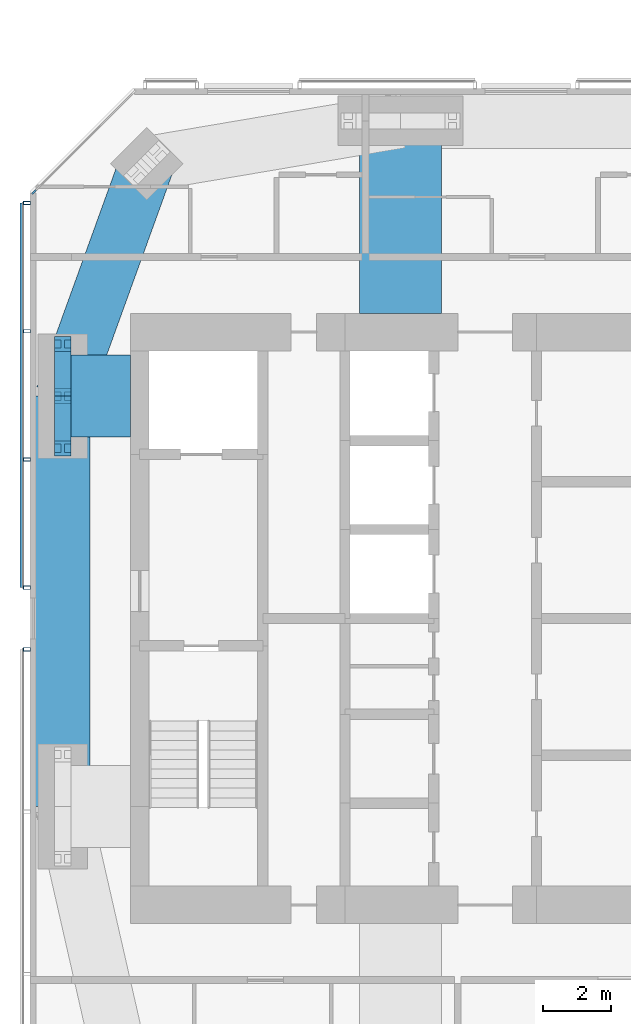
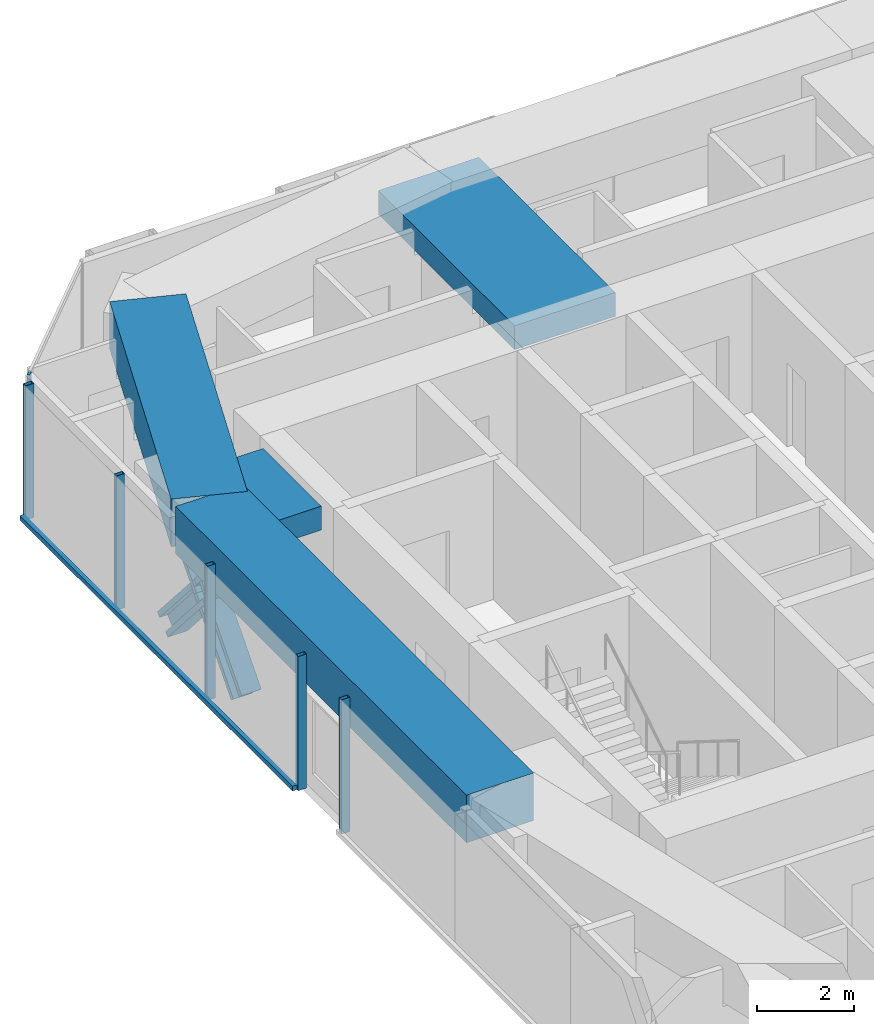
# One storey, part 5 of 18: 11 members, 4 beams, 3 elements without a shape of their own.
"""IFC4 building model written with IfcOpenShell, lengths in metres."""

from ifc_helpers import new_model, si_unit, direction, frame, origin, origin_2d, place, context, subcontext, project, spatial, rectangle, hollow_rectangle, i_section, extrude, material, material_profile, profile_set, type_object, element, aggregate, save


model = new_model("IFC4")

# Units and contexts
model_context = context("Model", 3, precision=1e-05, world=origin(), true_north=direction((0.0, 1.0)))
body_context = subcontext(model_context, "Body", "Model", "MODEL_VIEW")
ifc_project = project(units=[si_unit("LENGTHUNIT", "METRE"), si_unit("AREAUNIT", "SQUARE_METRE"), si_unit("VOLUMEUNIT", "CUBIC_METRE"), si_unit("PLANEANGLEUNIT", "RADIAN"), si_unit("MASSUNIT", "GRAM", prefix="KILO")], contexts=[model_context])

# Site, building, storey
site_placement = place(None, origin())
site = spatial("IfcSite", under=ifc_project, at=site_placement, CompositionType="ELEMENT")
building_placement = place(site_placement, origin())
building = spatial("IfcBuilding", under=site, at=building_placement, Name="Jalousie Tower", CompositionType="ELEMENT")
storey_placement = place(building_placement, frame((0.0, 0.0, 231.949951171875)))
storey = spatial("IfcBuildingStorey", under=building, at=storey_placement, Name="L63", CompositionType="ELEMENT", Elevation=231.949951171875)

# Curtain wall, member
ifc_material_1 = material(Name="Aluminium curtain wall", Category="aluminium")
curtain_wall_type_1 = type_object("IfcCurtainWallType", Name="CORNER WINDOW WALL", PredefinedType="USERDEFINED", material=ifc_material_1)
curtain_wall_1_placement = place(storey_placement, origin())
curtain_wall_1 = element("IfcCurtainWall", 1, at=curtain_wall_1_placement, inside=storey, type_object=curtain_wall_type_1, Name="Corner Window Wall L63 6", ObjectType="CORNER WINDOW WALL", PredefinedType="USERDEFINED")
ifc_material_2 = material(Name="Aluminium mullion", Category="aluminium")
ifc_material_profile_1 = material_profile(ifc_material_2, rectangle(XDim=0.06005859375, YDim=0.14990234375, at=origin_2d()), Name="MULLION 60x150")
ifc_profile_set_1 = profile_set([ifc_material_profile_1], Name="Aluminium mullion")
member_type_1 = type_object("IfcMemberType", Name="CORNER WINDOW WALL MULLION", PredefinedType="MULLION", material=ifc_profile_set_1)
member_1_placement = place(storey_placement, frame((16.90869140625, 30.969970703125, 0.0), z_axis=(0.0, 0.0, 1.0), x_axis=(0.707106781187, -0.707106781187, 0.0)))
member_1 = element("IfcMember", 2, at=member_1_placement, type_object=member_type_1, Name="CW-C mullion 2", PredefinedType="MULLION", context=body_context, shape_type="SweptSolid", body=[
    extrude(rectangle(XDim=0.06005859375, YDim=0.14990234375, at=origin_2d()), origin(), (0.0, 0.0, 1.0), 3.260009765625),
])
aggregate(curtain_wall_1, [member_1])

# Members
ifc_material_3 = material(Name="Steel ASTM A992 Grade 50", Category="steel")
ifc_material_profile_2 = material_profile(ifc_material_3, i_section(OverallWidth=0.472412109375, OverallDepth=0.5791015625, WebThickness=0.094970703125, FlangeThickness=0.1298828125, at=origin_2d()), Name="W14X808")
ifc_profile_set_2 = profile_set([ifc_material_profile_2], Name="Steel ASTM A992 Grade 50")
member_type_2 = type_object("IfcMemberType", Name="PERIMETER BRACE W14X808", PredefinedType="BRACE", material=ifc_profile_set_2)
for number, where, z_axis, x_axis, name in (
    (3, (17.75, 23.47509765625, -0.599853515625), (0.0, 0.65695436777, 0.753930340726), (-1.0, 0.0, 0.0), "Perimeter brace 13 L63 part 1"),
    (4, (17.75, 25.0, 1.150146484375), (0.0, 0.65695436777, 0.753930340726), (-1.0, 0.0, 0.0), "Perimeter brace 13 L63 part 2"),
    (5, (17.75, 26.52490234375, -0.599853515625), (0.0, -0.65695436777, 0.753930340726), (1.0, 0.0, 0.0), "Perimeter brace 13 L63 part 3"),
    (6, (17.75, 25.0, 1.150146484375), (0.0, -0.65695436777, 0.753930340726), (1.0, 0.0, 0.0), "Perimeter brace 13 L63 part 4"),
):
    element("IfcMember", number, at=place(storey_placement, frame(where, z_axis=z_axis, x_axis=x_axis)), inside=storey, type_object=member_type_2, Name=name, PredefinedType="BRACE", context=body_context, shape_type="SweptSolid", body=[
        extrude(i_section(OverallWidth=0.472412109375, OverallDepth=0.5791015625, WebThickness=0.094970703125, FlangeThickness=0.1298828125, at=origin_2d()), origin(), (0.0, 0.0, 1.0), 2.3212890625),
    ])

# Beams
ifc_material_4 = material(Name="Concrete f'c 40 MPa", Category="concrete")
ifc_material_profile_3 = material_profile(ifc_material_4, rectangle(XDim=1.60009765625, YDim=1.199951171875, at=origin_2d()), Name="RC 1600x1200")
ifc_profile_set_3 = profile_set([ifc_material_profile_3], Name="Concrete f'c 40 MPa")
beam_type_1 = type_object("IfcBeamType", Name="RC BEAM 1600x1200", PredefinedType="BEAM", material=ifc_profile_set_3)
beam_1_placement = place(storey_placement, frame((20.20703125, 31.79296875, 2.900146484375), z_axis=(-0.340136081654, -0.940376225751, 0.0), x_axis=(0.940376225751, -0.340136081654, 0.0)))
element("IfcBeam", 7, at=beam_1_placement, inside=storey, type_object=beam_type_1, Name="Edge band beam 12-13 under L64", PredefinedType="BEAM", context=body_context, shape_type="SweptSolid", body=[
    extrude(rectangle(XDim=1.60009765625, YDim=1.199951171875, at=origin_2d()), origin(), (0.0, 0.0, 1.0), 7.2236328125),
])
beam_2_placement = place(storey_placement, frame((17.75, 25.0, 2.900146484375), z_axis=(0.0, -1.0, 0.0), x_axis=(1.0, 0.0, 0.0)))
element("IfcBeam", 8, at=beam_2_placement, inside=storey, type_object=beam_type_1, Name="Edge band beam 13-14 under L64", PredefinedType="BEAM", context=body_context, shape_type="SweptSolid", body=[
    extrude(rectangle(XDim=1.60009765625, YDim=1.199951171875, at=origin_2d()), origin(), (0.0, 0.0, 1.0), 12.0),
])
ifc_material_5 = material(Name="Concrete f'c 40 MPa", Category="concrete")
ifc_material_profile_4 = material_profile(ifc_material_5, rectangle(XDim=2.39990234375, YDim=0.60009765625, at=origin_2d()), Name="RC 2400x600")
ifc_profile_set_4 = profile_set([ifc_material_profile_4], Name="Concrete f'c 40 MPa")
beam_type_2 = type_object("IfcBeamType", Name="RC BEAM 2400x600", PredefinedType="BEAM", material=ifc_profile_set_4)
beam_3_placement = place(storey_placement, frame((17.75, 25.0, 2.9599609375), z_axis=(1.0, 0.0, 0.0), x_axis=(0.0, 1.0, 0.0)))
element("IfcBeam", 9, at=beam_3_placement, inside=storey, type_object=beam_type_2, Name="Floor band beam under L64", PredefinedType="BEAM", context=body_context, shape_type="SweptSolid", body=[
    extrude(rectangle(XDim=2.39990234375, YDim=0.60009765625, at=origin_2d()), origin(), (0.0, 0.0, 1.0), 1.97509765625),
])
beam_4_placement = place(storey_placement, frame((27.625, 33.050048828125, 2.9599609375), z_axis=(0.0, -1.0, 0.0), x_axis=(1.0, 0.0, 0.0)))
element("IfcBeam", 10, at=beam_4_placement, inside=storey, type_object=beam_type_2, Name="Floor band beam under L64", PredefinedType="BEAM", context=body_context, shape_type="SweptSolid", body=[
    extrude(rectangle(XDim=2.39990234375, YDim=0.60009765625, at=origin_2d()), origin(), (0.0, 0.0, 1.0), 5.625),
])

# Curtain wall, members
ifc_material_6 = material(Name="Perforated aluminium sheet", Category="aluminium")
curtain_wall_type_2 = type_object("IfcCurtainWallType", Name="SOLAR SCREEN SS-2", PredefinedType="USERDEFINED", material=ifc_material_6)
curtain_wall_2_placement = place(storey_placement, origin())
curtain_wall_2 = element("IfcCurtainWall", 11, at=curtain_wall_2_placement, inside=storey, type_object=curtain_wall_type_2, Name="Solar screen L63", ObjectType="SOLAR SCREEN SS-2", PredefinedType="USERDEFINED")
ifc_material_7 = material(Name="Steel ASTM A500 Grade C", Category="steel")
ifc_material_profile_5 = material_profile(ifc_material_7, hollow_rectangle(XDim=0.1015625, YDim=0.203125, WallThickness=0.0078125, at=origin_2d()), Name="HSS8X4X5/16")
ifc_profile_set_5 = profile_set([ifc_material_profile_5], Name="Steel ASTM A500 Grade C")
member_type_3 = type_object("IfcMemberType", Name="SOLAR SCREEN SS-2 MULLION", PredefinedType="MULLION", material=ifc_profile_set_5)
member_2_placement = place(storey_placement, frame((16.703369140625, 30.648681640625, -0.119873046875), z_axis=(0.0, 0.0, 1.0), x_axis=(0.0, -1.0, 0.0)))
member_2 = element("IfcMember", 12, at=member_2_placement, type_object=member_type_3, Name="SS2 post 1", PredefinedType="MULLION", context=body_context, shape_type="SweptSolid", body=[
    extrude(hollow_rectangle(XDim=0.1015625, YDim=0.203125, WallThickness=0.0078125, at=origin_2d()), origin(), (0.0, 0.0, 1.0), 3.3798828125),
])
member_3_placement = place(storey_placement, frame((16.703369140625, 26.899169921875, -0.119873046875), z_axis=(0.0, 0.0, 1.0), x_axis=(0.0, -1.0, 0.0)))
member_3 = element("IfcMember", 13, at=member_3_placement, type_object=member_type_3, Name="SS2 post 2", PredefinedType="MULLION", context=body_context, shape_type="SweptSolid", body=[
    extrude(hollow_rectangle(XDim=0.1015625, YDim=0.203125, WallThickness=0.0078125, at=origin_2d()), origin(), (0.0, 0.0, 1.0), 3.3798828125),
])
member_4_placement = place(storey_placement, frame((16.703369140625, 23.149658203125, -0.119873046875), z_axis=(0.0, 0.0, 1.0), x_axis=(0.0, -1.0, 0.0)))
member_4 = element("IfcMember", 14, at=member_4_placement, type_object=member_type_3, Name="SS2 post 3", PredefinedType="MULLION", context=body_context, shape_type="SweptSolid", body=[
    extrude(hollow_rectangle(XDim=0.1015625, YDim=0.203125, WallThickness=0.0078125, at=origin_2d()), origin(), (0.0, 0.0, 1.0), 3.3798828125),
])
member_5_placement = place(storey_placement, frame((16.703369140625, 19.39990234375, -0.119873046875), z_axis=(0.0, 0.0, 1.0), x_axis=(0.0, -1.0, 0.0)))
member_5 = element("IfcMember", 15, at=member_5_placement, type_object=member_type_3, Name="SS2 post 4", PredefinedType="MULLION", context=body_context, shape_type="SweptSolid", body=[
    extrude(hollow_rectangle(XDim=0.1015625, YDim=0.203125, WallThickness=0.0078125, at=origin_2d()), origin(), (0.0, 0.0, 1.0), 3.3798828125),
])

# Curtain wall, member
curtain_wall_3_placement = place(storey_placement, origin())
curtain_wall_3 = element("IfcCurtainWall", 16, at=curtain_wall_3_placement, inside=storey, type_object=curtain_wall_type_2, Name="Solar screen L63", ObjectType="SOLAR SCREEN SS-2", PredefinedType="USERDEFINED")
member_6_placement = place(storey_placement, frame((16.703369140625, 17.60009765625, -0.119873046875), z_axis=(0.0, 0.0, 1.0), x_axis=(0.0, -1.0, 0.0)))
member_6 = element("IfcMember", 17, at=member_6_placement, type_object=member_type_3, Name="SS2 post 1", PredefinedType="MULLION", context=body_context, shape_type="SweptSolid", body=[
    extrude(hollow_rectangle(XDim=0.1015625, YDim=0.203125, WallThickness=0.0078125, at=origin_2d()), origin(), (0.0, 0.0, 1.0), 3.3798828125),
])
aggregate(curtain_wall_3, [member_6])

# Member
ifc_material_8 = material(Name="Extruded aluminium screen rail", Category="aluminium")
ifc_material_profile_6 = material_profile(ifc_material_8, rectangle(XDim=0.1015625, YDim=0.1201171875, at=origin_2d()), Name="RAIL 102x120")
ifc_profile_set_6 = profile_set([ifc_material_profile_6], Name="Extruded aluminium screen rail")
member_type_4 = type_object("IfcMemberType", Name="SOLAR SCREEN SS-2 TRANSOM", PredefinedType="USERDEFINED", material=ifc_profile_set_6)
member_7_placement = place(storey_placement, frame((16.551025390625, 30.648681640625, -0.06005859375), z_axis=(0.0, -1.0, 0.0), x_axis=(1.0, 0.0, 0.0)))
member_7 = element("IfcMember", 18, at=member_7_placement, type_object=member_type_4, Name="SS2 rail", ObjectType="TRANSOM", PredefinedType="USERDEFINED", context=body_context, shape_type="SweptSolid", body=[
    extrude(rectangle(XDim=0.1015625, YDim=0.1201171875, at=origin_2d()), origin(), (0.0, 0.0, 1.0), 11.248779296875),
])

aggregate(curtain_wall_2, [member_2, member_3, member_4, member_5, member_7])

save(model, "model.ifc")
